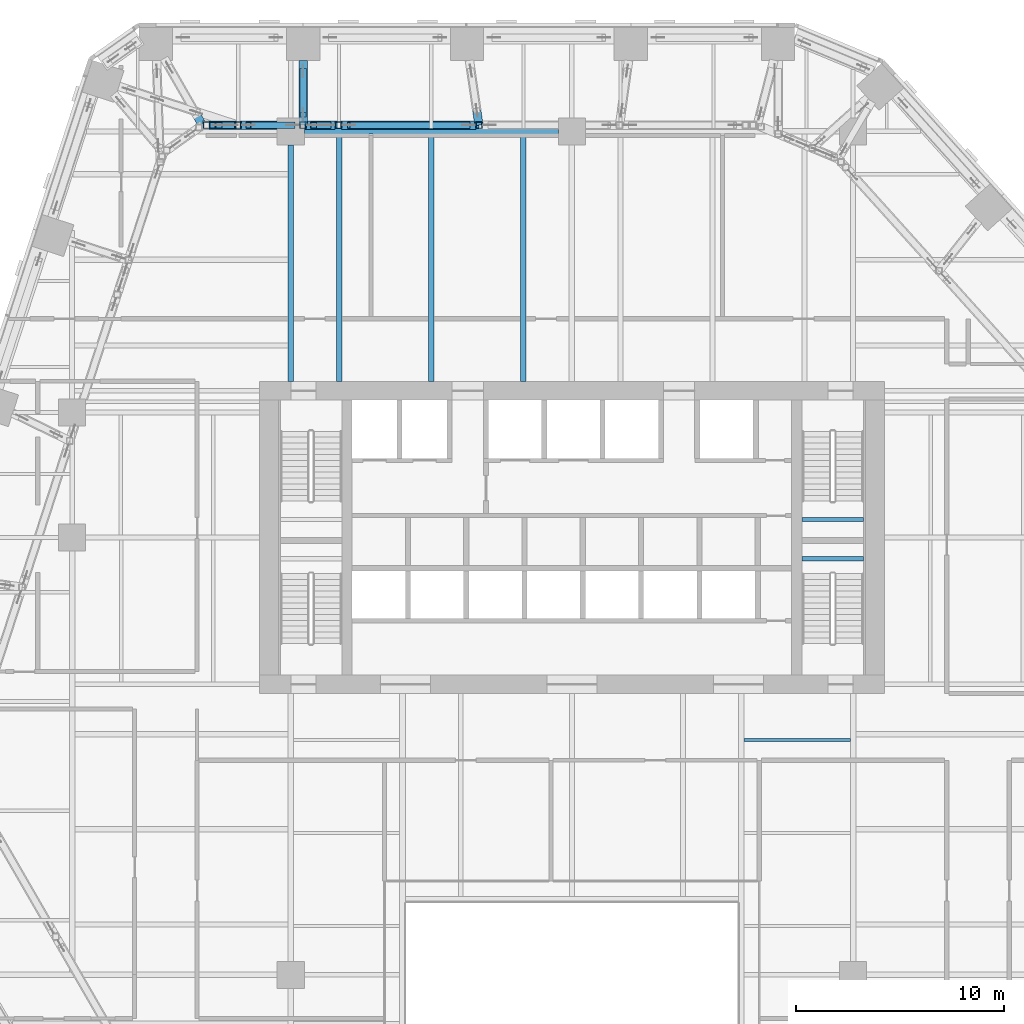
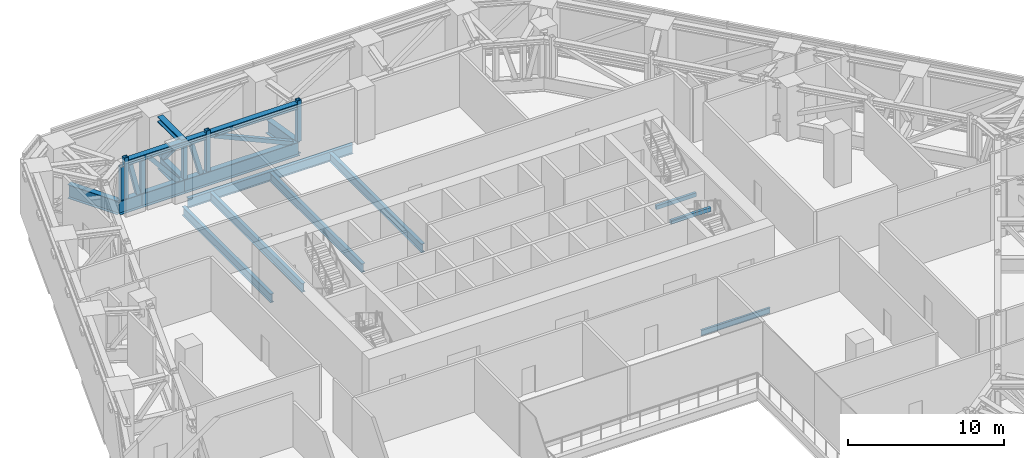
# One storey, part 12 of 36: 20 members, 8 beams.
"""IFC4 building model written with IfcOpenShell, lengths in metres."""

from ifc_helpers import new_model, si_unit, direction, frame, origin, origin_2d, place, context, subcontext, project, spatial, rectangle, hollow_rectangle, i_section, extrude, material, material_profile, profile_set, type_object, element, save


model = new_model("IFC4")

# Units and contexts
model_context = context("Model", 3, precision=1e-05, world=origin(), true_north=direction((0.0, 1.0)))
body_context = subcontext(model_context, "Body", "Model", "MODEL_VIEW")
ifc_project = project(units=[si_unit("LENGTHUNIT", "METRE"), si_unit("AREAUNIT", "SQUARE_METRE"), si_unit("VOLUMEUNIT", "CUBIC_METRE"), si_unit("PLANEANGLEUNIT", "RADIAN"), si_unit("MASSUNIT", "GRAM", prefix="KILO")], contexts=[model_context])

# Site, building, storey
site_placement = place(None, origin())
site = spatial("IfcSite", under=ifc_project, at=site_placement, CompositionType="ELEMENT")
building_placement = place(site_placement, origin())
building = spatial("IfcBuilding", under=site, at=building_placement, Name="Isthmus Gate Tower", CompositionType="ELEMENT")
storey_placement = place(building_placement, frame((0.0, 0.0, 117.14990234375)))
storey = spatial("IfcBuildingStorey", under=building, at=storey_placement, Name="L28", CompositionType="ELEMENT", Elevation=117.14990234375)

# Beams
ifc_material_1 = material(Name="Concrete f'c 40 MPa", Category="concrete")
ifc_material_profile_1 = material_profile(ifc_material_1, rectangle(XDim=0.199951171875, YDim=0.300048828125, at=origin_2d()), Name="STAIR LANDING BEAM RC 200 X 300")
ifc_profile_set_1 = profile_set([ifc_material_profile_1], Name="Concrete f'c 40 MPa")
beam_type_1 = type_object("IfcBeamType", Name="STAIR LANDING BEAM RC 200 X 300", PredefinedType="BEAM", material=ifc_profile_set_1)
for number, where, z_axis, x_axis, name in (
    (1, (11.050048828125, 8.3701171875, 1.900146484375), (1.0, 0.0, 0.0), (0.0, 1.0, 0.0), "L28 ST2 landing beam 1"),
    (2, (11.050048828125, 6.47998046875, 1.900146484375), (1.0, 0.0, 0.0), (0.0, 1.0, 0.0), "L28 ST8 landing beam 1"),
):
    element("IfcBeam", number, at=place(storey_placement, frame(where, z_axis=z_axis, x_axis=x_axis)), inside=storey, type_object=beam_type_1, Name=name, PredefinedType="BEAM", context=body_context, shape_type="SweptSolid", body=[
        extrude(rectangle(XDim=0.199951171875, YDim=0.300048828125, at=origin_2d()), origin(), (0.0, 0.0, 1.0), 2.949951171875),
    ])
ifc_material_2 = material(Name="Structural steel ASTM A992 Gr 50", Category="steel")
ifc_material_profile_2 = material_profile(ifc_material_2, i_section(OverallWidth=0.15234375, OverallDepth=0.45068359375, WebThickness=0.0078125, FlangeThickness=0.010986328125, at=origin_2d()), Name="W18X35")
ifc_profile_set_2 = profile_set([ifc_material_profile_2], Name="Structural steel ASTM A992 Gr 50")
beam_type_2 = type_object("IfcBeamType", Name="STEEL FLOOR BEAM W18X35", PredefinedType="JOIST", material=ifc_profile_set_2)
beam_1_placement = place(storey_placement, frame((8.263427734375, -2.232421875, -0.525390625), z_axis=(1.0, 0.0, 0.0), x_axis=(0.0, 1.0, 0.0)))
element("IfcBeam", 3, at=beam_1_placement, inside=storey, type_object=beam_type_2, Name="str-beam-L28-24-02", PredefinedType="JOIST", context=body_context, shape_type="SweptSolid", body=[
    extrude(i_section(OverallWidth=0.15234375, OverallDepth=0.45068359375, WebThickness=0.0078125, FlangeThickness=0.010986328125, at=origin_2d()), origin(), (0.0, 0.0, 1.0), 5.104736328125),
])
ifc_material_3 = material(Name="Structural steel ASTM A992 Gr 50", Category="steel")
ifc_material_profile_3 = material_profile(ifc_material_3, i_section(OverallWidth=0.25390625, OverallDepth=0.679443359375, WebThickness=0.010986328125, FlangeThickness=0.015869140625, at=origin_2d()), Name="W27X84")
ifc_profile_set_3 = profile_set([ifc_material_profile_3], Name="Structural steel ASTM A992 Gr 50")
beam_type_3 = type_object("IfcBeamType", Name="STEEL FLOOR BEAM W27X84", PredefinedType="JOIST", material=ifc_profile_set_3)
for number, where, z_axis, x_axis, name in (
    (4, (-11.165283203125, 15.0, -0.6396484375), (0.0, 1.0, 0.0), (-1.0, 0.0, 0.0), "str-beam-L28-14-00"),
    (5, (-6.75, 15.0, -0.6396484375), (0.0, 1.0, 0.0), (-1.0, 0.0, 0.0), "str-beam-L28-14-01"),
    (6, (-2.334716796875, 15.0, -0.6396484375), (0.0, 1.0, 0.0), (-1.0, 0.0, 0.0), "str-beam-L28-14-02"),
):
    element("IfcBeam", number, at=place(storey_placement, frame(where, z_axis=z_axis, x_axis=x_axis)), inside=storey, type_object=beam_type_3, Name=name, PredefinedType="JOIST", context=body_context, shape_type="SweptSolid", body=[
        extrude(i_section(OverallWidth=0.25390625, OverallDepth=0.679443359375, WebThickness=0.010986328125, FlangeThickness=0.015869140625, at=origin_2d()), origin(), (0.0, 0.0, 1.0), 11.8681640625),
    ])
ifc_material_4 = material(Name="Structural steel ASTM A992 Gr 50", Category="steel")
ifc_material_profile_4 = material_profile(ifc_material_4, i_section(OverallWidth=0.25390625, OverallDepth=0.679443359375, WebThickness=0.010986328125, FlangeThickness=0.015869140625, at=origin_2d()), Name="W27X84")
ifc_profile_set_4 = profile_set([ifc_material_profile_4], Name="Structural steel ASTM A992 Gr 50")
beam_type_4 = type_object("IfcBeamType", Name="STEEL GIRDER W27X84", PredefinedType="BEAM", material=ifc_profile_set_4)
beam_2_placement = place(storey_placement, frame((-13.5, 15.0, -0.6396484375), z_axis=(0.0, 1.0, 0.0), x_axis=(-1.0, 0.0, 0.0)))
element("IfcBeam", 7, at=beam_2_placement, inside=storey, type_object=beam_type_4, Name="str-girder-L28-27", PredefinedType="BEAM", context=body_context, shape_type="SweptSolid", body=[
    extrude(i_section(OverallWidth=0.25390625, OverallDepth=0.679443359375, WebThickness=0.010986328125, FlangeThickness=0.015869140625, at=origin_2d()), origin(), (0.0, 0.0, 1.0), 11.35009765625),
])
ifc_material_5 = material(Name="Structural steel ASTM A992 Gr 50", Category="steel")
ifc_material_profile_5 = material_profile(ifc_material_5, i_section(OverallWidth=0.263427734375, OverallDepth=0.749267578125, WebThickness=0.0126953125, FlangeThickness=0.015869140625, at=origin_2d()), Name="W30X90")
ifc_profile_set_5 = profile_set([ifc_material_profile_5], Name="Structural steel ASTM A992 Gr 50")
beam_type_5 = type_object("IfcBeamType", Name="STEEL GIRDER W30X90", PredefinedType="BEAM", material=ifc_profile_set_5)
beam_3_placement = place(storey_placement, frame((-12.85009765625, 27.0, -0.674560546875), z_axis=(1.0, 0.0, 0.0), x_axis=(0.0, 1.0, 0.0)))
element("IfcBeam", 8, at=beam_3_placement, inside=storey, type_object=beam_type_5, Name="str-girder-L28-18", PredefinedType="BEAM", context=body_context, shape_type="SweptSolid", body=[
    extrude(i_section(OverallWidth=0.263427734375, OverallDepth=0.749267578125, WebThickness=0.0126953125, FlangeThickness=0.015869140625, at=origin_2d()), origin(), (0.0, 0.0, 1.0), 12.2001953125),
])

# Members
ifc_material_6 = material(Name="Structural steel ASTM A913 Gr 65", Category="steel")
ifc_material_profile_6 = material_profile(ifc_material_6, i_section(OverallWidth=0.40966796875, OverallDepth=0.42529296875, WebThickness=0.033203125, FlangeThickness=0.052490234375, at=origin_2d()), Name="W14X283")
ifc_profile_set_6 = profile_set([ifc_material_profile_6], Name="Structural steel ASTM A913 Gr 65")
member_type_1 = type_object("IfcMemberType", Name="TRANSFER TRUSS CHORD W14X283", PredefinedType="CHORD", material=ifc_profile_set_6)
member_1_placement = place(storey_placement, frame((-17.110107421875, 27.300048828125, 3.887451171875), z_axis=(1.0, 0.0, 0.0), x_axis=(0.0, 1.0, 0.0)))
element("IfcMember", 9, at=member_1_placement, inside=storey, type_object=member_type_1, Name="str-ring11-L28-16", PredefinedType="CHORD", context=body_context, shape_type="SweptSolid", body=[
    extrude(i_section(OverallWidth=0.40966796875, OverallDepth=0.42529296875, WebThickness=0.033203125, FlangeThickness=0.052490234375, at=origin_2d()), origin(), (0.0, 0.0, 1.0), 5.746337890625),
])
member_2_placement = place(storey_placement, frame((-11.05908203125, 27.300048828125, 3.887451171875), z_axis=(1.0, 0.0, 0.0), x_axis=(0.0, 1.0, 0.0)))
element("IfcMember", 10, at=member_2_placement, inside=storey, type_object=member_type_1, Name="str-ring11-L28-17", PredefinedType="CHORD", context=body_context, shape_type="SweptSolid", body=[
    extrude(i_section(OverallWidth=0.40966796875, OverallDepth=0.42529296875, WebThickness=0.033203125, FlangeThickness=0.052490234375, at=origin_2d()), origin(), (0.0, 0.0, 1.0), 6.4453125),
])
member_3_placement = place(storey_placement, frame((-12.90673828125, 30.39990234375, 3.887451171875), z_axis=(0.0, -1.0, 0.0), x_axis=(1.0, 0.0, 0.0)))
element("IfcMember", 11, at=member_3_placement, inside=storey, type_object=member_type_1, Name="str-link03-L28-02", PredefinedType="CHORD", context=body_context, shape_type="SweptSolid", body=[
    extrude(i_section(OverallWidth=0.40966796875, OverallDepth=0.42529296875, WebThickness=0.033203125, FlangeThickness=0.052490234375, at=origin_2d()), origin(), (0.0, 0.0, 1.0), 3.099853515625),
])
ifc_material_7 = material(Name="Structural steel ASTM A913 Gr 65", Category="steel")
ifc_material_profile_7 = material_profile(ifc_material_7, i_section(OverallWidth=0.39990234375, OverallDepth=1.089111328125, WebThickness=0.017578125, FlangeThickness=0.03173828125, at=origin_2d()), Name="W44X230")
ifc_profile_set_7 = profile_set([ifc_material_profile_7], Name="Structural steel ASTM A913 Gr 65")
member_type_2 = type_object("IfcMemberType", Name="TRANSFER TRUSS CHORD W44X230", PredefinedType="CHORD", material=ifc_profile_set_7)
member_4_placement = place(storey_placement, frame((-17.740478515625, 27.300048828125, 0.544677734375), z_axis=(1.0, 0.0, 0.0), x_axis=(0.0, 1.0, 0.0)))
element("IfcMember", 12, at=member_4_placement, inside=storey, type_object=member_type_2, Name="str-ring11-L28-10", PredefinedType="CHORD", context=body_context, shape_type="SweptSolid", body=[
    extrude(i_section(OverallWidth=0.39990234375, OverallDepth=1.089111328125, WebThickness=0.017578125, FlangeThickness=0.03173828125, at=origin_2d()), origin(), (0.0, 0.0, 1.0), 1.708984375),
])
member_5_placement = place(storey_placement, frame((-16.031494140625, 27.300048828125, 0.544677734375), z_axis=(1.0, 0.0, 0.0), x_axis=(0.0, 1.0, 0.0)))
element("IfcMember", 13, at=member_5_placement, inside=storey, type_object=member_type_2, Name="str-ring11-L28-11", PredefinedType="CHORD", context=body_context, shape_type="SweptSolid", body=[
    extrude(i_section(OverallWidth=0.39990234375, OverallDepth=1.089111328125, WebThickness=0.017578125, FlangeThickness=0.03173828125, at=origin_2d()), origin(), (0.0, 0.0, 1.0), 3.125),
])
member_6_placement = place(storey_placement, frame((-12.906494140625, 27.300048828125, 0.544677734375), z_axis=(1.0, 0.0, 0.0), x_axis=(0.0, 1.0, 0.0)))
element("IfcMember", 14, at=member_6_placement, inside=storey, type_object=member_type_2, Name="str-ring11-L28-12", PredefinedType="CHORD", context=body_context, shape_type="SweptSolid", body=[
    extrude(i_section(OverallWidth=0.39990234375, OverallDepth=1.089111328125, WebThickness=0.017578125, FlangeThickness=0.03173828125, at=origin_2d()), origin(), (0.0, 0.0, 1.0), 8.445068359375),
])
member_7_placement = place(storey_placement, frame((-4.92041015625, 30.40869140625, 0.544677734375), z_axis=(0.145988297313, -0.989286317022, 0.0), x_axis=(0.989286317022, 0.145988297313, 0.0)))
element("IfcMember", 15, at=member_7_placement, inside=storey, type_object=member_type_2, Name="str-link02-L28-01", PredefinedType="CHORD", context=body_context, shape_type="SweptSolid", body=[
    extrude(i_section(OverallWidth=0.39990234375, OverallDepth=1.089111328125, WebThickness=0.017578125, FlangeThickness=0.03173828125, at=origin_2d()), origin(), (0.0, 0.0, 1.0), 3.142333984375),
])
member_8_placement = place(storey_placement, frame((-12.90673828125, 30.39990234375, 0.544677734375), z_axis=(0.0, -1.0, 0.0), x_axis=(1.0, 0.0, 0.0)))
element("IfcMember", 16, at=member_8_placement, inside=storey, type_object=member_type_2, Name="str-link03-L28-01", PredefinedType="CHORD", context=body_context, shape_type="SweptSolid", body=[
    extrude(i_section(OverallWidth=0.39990234375, OverallDepth=1.089111328125, WebThickness=0.017578125, FlangeThickness=0.03173828125, at=origin_2d()), origin(), (0.0, 0.0, 1.0), 3.099853515625),
])
member_9_placement = place(storey_placement, frame((-19.578369140625, 30.505859375, 0.544677734375), z_axis=(0.497362233899, -0.867542972014, 0.0), x_axis=(0.867542972014, 0.497362233899, 0.0)))
element("IfcMember", 17, at=member_9_placement, inside=storey, type_object=member_type_2, Name="str-link38-L28-01", PredefinedType="CHORD", context=body_context, shape_type="SweptSolid", body=[
    extrude(i_section(OverallWidth=0.39990234375, OverallDepth=1.089111328125, WebThickness=0.017578125, FlangeThickness=0.03173828125, at=origin_2d()), origin(), (0.0, 0.0, 1.0), 3.6953125),
])
ifc_material_8 = material(Name="Structural steel ASTM A500 Gr C", Category="steel")
ifc_material_profile_8 = material_profile(ifc_material_8, hollow_rectangle(XDim=0.3046875, YDim=0.3046875, WallThickness=0.014892578125, at=origin_2d()), Name="HSS12X12X5/8")
ifc_profile_set_8 = profile_set([ifc_material_profile_8], Name="Structural steel ASTM A500 Gr C")
member_type_3 = type_object("IfcMemberType", Name="TRANSFER TRUSS DIAGONAL HSS12X12X5/8", PredefinedType="BRACE", material=ifc_profile_set_8)
member_10_placement = place(storey_placement, frame((-16.346923828125, 27.300048828125, 1.089111328125), z_axis=(-0.225987884648, 0.0, 0.974130112455), x_axis=(0.0, -1.0, 0.0)))
element("IfcMember", 18, at=member_10_placement, inside=storey, type_object=member_type_3, Name="str-ring11-L28-21", PredefinedType="BRACE", context=body_context, shape_type="SweptSolid", body=[
    extrude(hollow_rectangle(XDim=0.3046875, YDim=0.3046875, WallThickness=0.014892578125, at=origin_2d()), origin(), (0.0, 0.0, 1.0), 2.654296875),
])
member_11_placement = place(storey_placement, frame((-13.406494140625, 27.300048828125, 1.089111328125), z_axis=(-0.634924520944, 0.0, 0.772574172946), x_axis=(0.0, -1.0, 0.0)))
element("IfcMember", 19, at=member_11_placement, inside=storey, type_object=member_type_3, Name="str-ring11-L28-22", PredefinedType="BRACE", context=body_context, shape_type="SweptSolid", body=[
    extrude(hollow_rectangle(XDim=0.3046875, YDim=0.3046875, WallThickness=0.014892578125, at=origin_2d()), origin(), (0.0, 0.0, 1.0), 3.346923828125),
])
member_12_placement = place(storey_placement, frame((-11.71142578125, 27.300048828125, 1.089111328125), z_axis=(-0.25959740333, 0.0, 0.965716929635), x_axis=(0.0, -1.0, 0.0)))
element("IfcMember", 20, at=member_12_placement, inside=storey, type_object=member_type_3, Name="str-ring11-L28-23", PredefinedType="BRACE", context=body_context, shape_type="SweptSolid", body=[
    extrude(hollow_rectangle(XDim=0.3046875, YDim=0.3046875, WallThickness=0.014892578125, at=origin_2d()), origin(), (0.0, 0.0, 1.0), 2.677490234375),
])
member_13_placement = place(storey_placement, frame((-4.96142578125, 27.300048828125, 1.089111328125), z_axis=(-0.912028709856, 0.0, 0.410126361502), x_axis=(0.0, -1.0, 0.0)))
element("IfcMember", 21, at=member_13_placement, inside=storey, type_object=member_type_3, Name="str-ring11-L28-24", PredefinedType="BRACE", context=body_context, shape_type="SweptSolid", body=[
    extrude(hollow_rectangle(XDim=0.3046875, YDim=0.3046875, WallThickness=0.014892578125, at=origin_2d()), origin(), (0.0, 0.0, 1.0), 6.3046875),
])
member_14_placement = place(storey_placement, frame((-12.90673828125, 29.89990234375, 1.089111328125), z_axis=(0.0, -0.630407732097, 0.776264189122), x_axis=(1.0, 0.0, 0.0)))
element("IfcMember", 22, at=member_14_placement, inside=storey, type_object=member_type_3, Name="str-link03-L28-03", PredefinedType="BRACE", context=body_context, shape_type="SweptSolid", body=[
    extrude(hollow_rectangle(XDim=0.3046875, YDim=0.3046875, WallThickness=0.014892578125, at=origin_2d()), origin(), (0.0, 0.0, 1.0), 3.3310546875),
])
ifc_material_9 = material(Name="Structural steel ASTM A500 Gr C", Category="steel")
ifc_material_profile_9 = material_profile(ifc_material_9, hollow_rectangle(XDim=0.3046875, YDim=0.3046875, WallThickness=0.014892578125, at=origin_2d()), Name="HSS12X12X5/8")
ifc_profile_set_9 = profile_set([ifc_material_profile_9], Name="Structural steel ASTM A500 Gr C")
member_type_4 = type_object("IfcMemberType", Name="TRANSFER TRUSS POST HSS12X12X5/8", PredefinedType="POST", material=ifc_profile_set_9)
member_15_placement = place(storey_placement, frame((-17.540283203125, 27.300048828125, 1.089111328125), z_axis=(0.0, 0.0, 1.0), x_axis=(1.0, 0.0, 0.0)))
element("IfcMember", 23, at=member_15_placement, inside=storey, type_object=member_type_4, Name="str-ring11-L28-01", PredefinedType="POST", context=body_context, shape_type="SweptSolid", body=[
    extrude(hollow_rectangle(XDim=0.3046875, YDim=0.3046875, WallThickness=0.014892578125, at=origin_2d()), origin(), (0.0, 0.0, 1.0), 2.585693359375),
])
member_16_placement = place(storey_placement, frame((-17.262451171875, 27.300048828125, 1.089111328125), z_axis=(0.0, 0.0, 1.0), x_axis=(1.0, 0.0, 0.0)))
element("IfcMember", 24, at=member_16_placement, inside=storey, type_object=member_type_4, Name="str-ring11-L28-02", PredefinedType="POST", context=body_context, shape_type="SweptSolid", body=[
    extrude(hollow_rectangle(XDim=0.3046875, YDim=0.3046875, WallThickness=0.014892578125, at=origin_2d()), origin(), (0.0, 0.0, 1.0), 3.2109375),
])
for number, where, z_axis, x_axis, name in (
    (25, (-16.031494140625, 27.300048828125, 1.089111328125), (0.0, 0.0, 1.0), (1.0, 0.0, 0.0), "str-ring11-L28-03"),
    (26, (-12.906494140625, 27.300048828125, 1.089111328125), (0.0, 0.0, 1.0), (1.0, 0.0, 0.0), "str-ring11-L28-04"),
):
    element("IfcMember", number, at=place(storey_placement, frame(where, z_axis=z_axis, x_axis=x_axis)), inside=storey, type_object=member_type_4, Name=name, PredefinedType="POST", context=body_context, shape_type="SweptSolid", body=[
        extrude(hollow_rectangle(XDim=0.3046875, YDim=0.3046875, WallThickness=0.014892578125, at=origin_2d()), origin(), (0.0, 0.0, 1.0), 2.585693359375),
    ])
for number, where, z_axis, x_axis, name in (
    (27, (-11.21142578125, 27.300048828125, 1.089111328125), (0.0, 0.0, 1.0), (1.0, 0.0, 0.0), "str-ring11-L28-05"),
    (28, (-4.46142578125, 27.300048828125, 1.089111328125), (0.0, 0.0, 1.0), (1.0, 0.0, 0.0), "str-ring11-L28-06"),
):
    element("IfcMember", number, at=place(storey_placement, frame(where, z_axis=z_axis, x_axis=x_axis)), inside=storey, type_object=member_type_4, Name=name, PredefinedType="POST", context=body_context, shape_type="SweptSolid", body=[
        extrude(hollow_rectangle(XDim=0.3046875, YDim=0.3046875, WallThickness=0.014892578125, at=origin_2d()), origin(), (0.0, 0.0, 1.0), 3.2109375),
    ])

save(model, "model.ifc")
